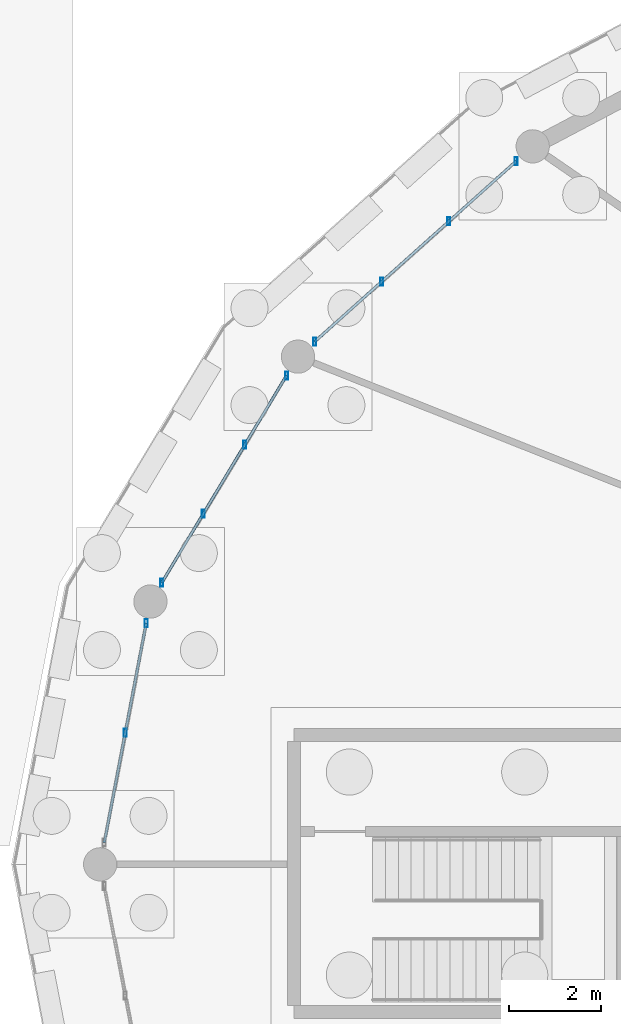
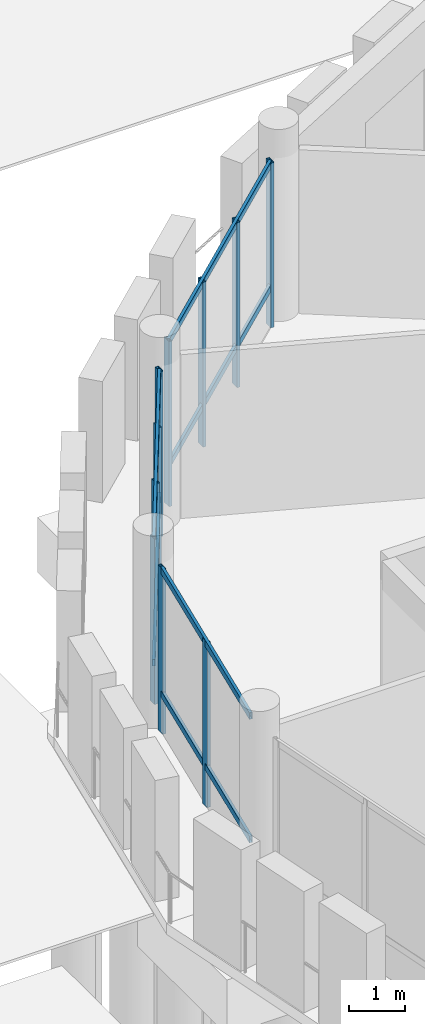
# One storey, part 39 of 98: 16 members, 3 elements without a shape of their own.
"""IFC4 building model written with IfcOpenShell, lengths in metres."""

from ifc_helpers import new_model, si_unit, direction, frame, origin, origin_2d, place, context, subcontext, project, spatial, hollow_rectangle, extrude, material, material_profile, profile_set, type_object, element, aggregate, save


model = new_model("IFC4")

# Units and contexts
model_context = context("Model", 3, precision=1e-05, world=origin(), true_north=direction((0.0, 1.0)))
body_context = subcontext(model_context, "Body", "Model", "MODEL_VIEW")
ifc_project = project(units=[si_unit("LENGTHUNIT", "METRE"), si_unit("AREAUNIT", "SQUARE_METRE"), si_unit("VOLUMEUNIT", "CUBIC_METRE"), si_unit("PLANEANGLEUNIT", "RADIAN"), si_unit("MASSUNIT", "GRAM", prefix="KILO")], contexts=[model_context])

# Site, building, storey
site_placement = place(None, origin())
site = spatial("IfcSite", under=ifc_project, at=site_placement, CompositionType="ELEMENT")
building_placement = place(site_placement, origin())
building = spatial("IfcBuilding", under=site, at=building_placement, Name="Zornivar Specialist Clinic", CompositionType="ELEMENT")
storey_placement = place(building_placement, origin())
storey = spatial("IfcBuildingStorey", under=building, at=storey_placement, Name="L00", CompositionType="ELEMENT", Elevation=0.0)

# Curtain wall, members
ifc_material_1 = material(Name="Aluminium and Low-E Glass Curtain Wall", Category="aluminium")
curtain_wall_type = type_object("IfcCurtainWallType", Name="CW-DRUM-FACET", PredefinedType="NOTDEFINED", material=ifc_material_1)
curtain_wall_1_placement = place(storey_placement, origin())
curtain_wall_1 = element("IfcCurtainWall", 1, at=curtain_wall_1_placement, inside=storey, type_object=curtain_wall_type, Name="cw:V1:L00:c09", PredefinedType="NOTDEFINED")
ifc_material_2 = material(Name="Aluminium AW-6060", Category="aluminium")
ifc_material_profile_1 = material_profile(ifc_material_2, hollow_rectangle(XDim=0.06494140625, YDim=0.175048828125, WallThickness=0.00439453125, at=origin_2d()), Name="ALU 65x175x4.5")
ifc_profile_set_1 = profile_set([ifc_material_profile_1], Name="Aluminium AW-6060")
member_type_1 = type_object("IfcMemberType", Name="CWM-MUL-175", PredefinedType="MULLION", material=ifc_profile_set_1)
member_1_placement = place(storey_placement, frame((70.614990234375, 72.8349609375, 0.0), z_axis=(0.0, 0.0, 1.0), x_axis=(1.0, 0.0, 0.0)))
member_1 = element("IfcMember", 2, at=member_1_placement, type_object=member_type_1, Name="cw:V1:L00:c09:mul:0", PredefinedType="MULLION", context=body_context, shape_type="SweptSolid", body=[
    extrude(hollow_rectangle(XDim=0.06494140625, YDim=0.175048828125, WallThickness=0.00439453125, at=origin_2d()), origin(), (0.0, 0.0, 1.0), 3.610107421875),
])
member_2_placement = place(storey_placement, frame((69.157958984375, 71.530029296875, 0.0), z_axis=(0.0, 0.0, 1.0), x_axis=(1.0, 0.0, 0.0)))
member_2 = element("IfcMember", 3, at=member_2_placement, type_object=member_type_1, Name="cw:V1:L00:c09:mul:1", PredefinedType="MULLION", context=body_context, shape_type="SweptSolid", body=[
    extrude(hollow_rectangle(XDim=0.06494140625, YDim=0.175048828125, WallThickness=0.00439453125, at=origin_2d()), origin(), (0.0, 0.0, 1.0), 3.610107421875),
])
member_3_placement = place(storey_placement, frame((67.700927734375, 70.22509765625, 0.0), z_axis=(0.0, 0.0, 1.0), x_axis=(1.0, 0.0, 0.0)))
member_3 = element("IfcMember", 4, at=member_3_placement, type_object=member_type_1, Name="cw:V1:L00:c09:mul:2", PredefinedType="MULLION", context=body_context, shape_type="SweptSolid", body=[
    extrude(hollow_rectangle(XDim=0.06494140625, YDim=0.175048828125, WallThickness=0.00439453125, at=origin_2d()), origin(), (0.0, 0.0, 1.0), 3.610107421875),
])
member_4_placement = place(storey_placement, frame((66.2451171875, 68.9208984375, 0.0), z_axis=(0.0, 0.0, 1.0), x_axis=(1.0, 0.0, 0.0)))
member_4 = element("IfcMember", 5, at=member_4_placement, type_object=member_type_1, Name="cw:V1:L00:c09:mul:3", PredefinedType="MULLION", context=body_context, shape_type="SweptSolid", body=[
    extrude(hollow_rectangle(XDim=0.06494140625, YDim=0.175048828125, WallThickness=0.00439453125, at=origin_2d()), origin(), (0.0, 0.0, 1.0), 3.610107421875),
])

curtain_wall_2_placement = place(storey_placement, origin())
curtain_wall_2 = element("IfcCurtainWall", 6, at=curtain_wall_2_placement, inside=storey, type_object=curtain_wall_type, Name="cw:V1:L00:c10", PredefinedType="NOTDEFINED")
member_5_placement = place(storey_placement, frame((65.638916015625, 68.18896484375, 0.0), z_axis=(0.0, 0.0, 1.0), x_axis=(1.0, 0.0, 0.0)))
member_5 = element("IfcMember", 7, at=member_5_placement, type_object=member_type_1, Name="cw:V1:L00:c10:mul:0", PredefinedType="MULLION", context=body_context, shape_type="SweptSolid", body=[
    extrude(hollow_rectangle(XDim=0.06494140625, YDim=0.175048828125, WallThickness=0.00439453125, at=origin_2d()), origin(), (0.0, 0.0, 1.0), 3.610107421875),
])
member_6_placement = place(storey_placement, frame((64.739013671875, 66.694091796875, 0.0), z_axis=(0.0, 0.0, 1.0), x_axis=(1.0, 0.0, 0.0)))
member_6 = element("IfcMember", 8, at=member_6_placement, type_object=member_type_1, Name="cw:V1:L00:c10:mul:1", PredefinedType="MULLION", context=body_context, shape_type="SweptSolid", body=[
    extrude(hollow_rectangle(XDim=0.06494140625, YDim=0.175048828125, WallThickness=0.00439453125, at=origin_2d()), origin(), (0.0, 0.0, 1.0), 3.610107421875),
])
member_7_placement = place(storey_placement, frame((63.837890625, 65.198974609375, 0.0), z_axis=(0.0, 0.0, 1.0), x_axis=(1.0, 0.0, 0.0)))
member_7 = element("IfcMember", 9, at=member_7_placement, type_object=member_type_1, Name="cw:V1:L00:c10:mul:2", PredefinedType="MULLION", context=body_context, shape_type="SweptSolid", body=[
    extrude(hollow_rectangle(XDim=0.06494140625, YDim=0.175048828125, WallThickness=0.00439453125, at=origin_2d()), origin(), (0.0, 0.0, 1.0), 3.610107421875),
])
member_8_placement = place(storey_placement, frame((62.93798828125, 63.705078125, 0.0), z_axis=(0.0, 0.0, 1.0), x_axis=(1.0, 0.0, 0.0)))
member_8 = element("IfcMember", 10, at=member_8_placement, type_object=member_type_1, Name="cw:V1:L00:c10:mul:3", PredefinedType="MULLION", context=body_context, shape_type="SweptSolid", body=[
    extrude(hollow_rectangle(XDim=0.06494140625, YDim=0.175048828125, WallThickness=0.00439453125, at=origin_2d()), origin(), (0.0, 0.0, 1.0), 3.610107421875),
])

curtain_wall_3_placement = place(storey_placement, origin())
curtain_wall_3 = element("IfcCurtainWall", 11, at=curtain_wall_3_placement, inside=storey, type_object=curtain_wall_type, Name="cw:V1:L00:c11", PredefinedType="NOTDEFINED")
member_9_placement = place(storey_placement, frame((62.59912109375, 62.822998046875, 0.0), z_axis=(0.0, 0.0, 1.0), x_axis=(1.0, 0.0, 0.0)))
member_9 = element("IfcMember", 12, at=member_9_placement, type_object=member_type_1, Name="cw:V1:L00:c11:mul:0", PredefinedType="MULLION", context=body_context, shape_type="SweptSolid", body=[
    extrude(hollow_rectangle(XDim=0.06494140625, YDim=0.175048828125, WallThickness=0.00439453125, at=origin_2d()), origin(), (0.0, 0.0, 1.0), 3.610107421875),
])
member_10_placement = place(storey_placement, frame((62.14501953125, 60.447021484375, 0.0), z_axis=(0.0, 0.0, 1.0), x_axis=(1.0, 0.0, 0.0)))
member_10 = element("IfcMember", 13, at=member_10_placement, type_object=member_type_1, Name="cw:V1:L00:c11:mul:1", PredefinedType="MULLION", context=body_context, shape_type="SweptSolid", body=[
    extrude(hollow_rectangle(XDim=0.06494140625, YDim=0.175048828125, WallThickness=0.00439453125, at=origin_2d()), origin(), (0.0, 0.0, 1.0), 3.610107421875),
])

# Member
ifc_material_3 = material(Name="Aluminium AW-6060", Category="aluminium")
ifc_material_profile_2 = material_profile(ifc_material_3, hollow_rectangle(XDim=0.06005859375, YDim=0.14501953125, WallThickness=0.00390625, at=origin_2d()), Name="ALU 60x145x4")
ifc_profile_set_2 = profile_set([ifc_material_profile_2], Name="Aluminium AW-6060")
member_type_2 = type_object("IfcMemberType", Name="CWM-TRN-145", PredefinedType="USERDEFINED", material=ifc_profile_set_2)
member_11_placement = place(storey_placement, frame((70.614990234375, 72.8349609375, 0.85009765625), z_axis=(-0.744887471381, -0.667190119067, 0.0), x_axis=(0.667190119067, -0.744887471381, 0.0)))
member_11 = element("IfcMember", 14, at=member_11_placement, type_object=member_type_2, Name="cw:V1:L00:c09:trn:0", ObjectType="TRANSOM", PredefinedType="USERDEFINED", context=body_context, shape_type="SweptSolid", body=[
    extrude(hollow_rectangle(XDim=0.06005859375, YDim=0.14501953125, WallThickness=0.00390625, at=origin_2d()), origin(), (0.0, 0.0, 1.0), 5.866455078125),
])

member_12_placement = place(storey_placement, frame((70.614990234375, 72.8349609375, 3.544921875), z_axis=(-0.744887471381, -0.667190119067, 0.0), x_axis=(0.667190119067, -0.744887471381, 0.0)))
member_12 = element("IfcMember", 15, at=member_12_placement, type_object=member_type_2, Name="cw:V1:L00:c09:trn:1", ObjectType="TRANSOM", PredefinedType="USERDEFINED", context=body_context, shape_type="SweptSolid", body=[
    extrude(hollow_rectangle(XDim=0.06005859375, YDim=0.14501953125, WallThickness=0.00390625, at=origin_2d()), origin(), (0.0, 0.0, 1.0), 5.866455078125),
])

aggregate(curtain_wall_1, [member_1, member_2, member_3, member_4, member_11, member_12])

member_13_placement = place(storey_placement, frame((65.638916015625, 68.18896484375, 0.85009765625), z_axis=(-0.515983359641, -0.856598606451, 0.0), x_axis=(0.856598606451, -0.515983359641, 0.0)))
member_13 = element("IfcMember", 16, at=member_13_placement, type_object=member_type_2, Name="cw:V1:L00:c10:trn:0", ObjectType="TRANSOM", PredefinedType="USERDEFINED", context=body_context, shape_type="SweptSolid", body=[
    extrude(hollow_rectangle(XDim=0.06005859375, YDim=0.14501953125, WallThickness=0.00390625, at=origin_2d()), origin(), (0.0, 0.0, 1.0), 5.234619140625),
])

member_14_placement = place(storey_placement, frame((65.638916015625, 68.18896484375, 3.544921875), z_axis=(-0.515983359641, -0.856598606451, 0.0), x_axis=(0.856598606451, -0.515983359641, 0.0)))
member_14 = element("IfcMember", 17, at=member_14_placement, type_object=member_type_2, Name="cw:V1:L00:c10:trn:1", ObjectType="TRANSOM", PredefinedType="USERDEFINED", context=body_context, shape_type="SweptSolid", body=[
    extrude(hollow_rectangle(XDim=0.06005859375, YDim=0.14501953125, WallThickness=0.00390625, at=origin_2d()), origin(), (0.0, 0.0, 1.0), 5.234619140625),
])

aggregate(curtain_wall_2, [member_5, member_6, member_7, member_8, member_13, member_14])

member_15_placement = place(storey_placement, frame((62.59912109375, 62.822998046875, 0.85009765625), z_axis=(-0.187724259088, -0.982221768518, 0.0), x_axis=(0.982221768518, -0.187724259088, 0.0)))
member_15 = element("IfcMember", 18, at=member_15_placement, type_object=member_type_2, Name="cw:V1:L00:c11:trn:0", ObjectType="TRANSOM", PredefinedType="USERDEFINED", context=body_context, shape_type="SweptSolid", body=[
    extrude(hollow_rectangle(XDim=0.06005859375, YDim=0.14501953125, WallThickness=0.00390625, at=origin_2d()), origin(), (0.0, 0.0, 1.0), 4.837890625),
])

member_16_placement = place(storey_placement, frame((62.59912109375, 62.822998046875, 3.544921875), z_axis=(-0.187724259088, -0.982221768518, 0.0), x_axis=(0.982221768518, -0.187724259088, 0.0)))
member_16 = element("IfcMember", 19, at=member_16_placement, type_object=member_type_2, Name="cw:V1:L00:c11:trn:1", ObjectType="TRANSOM", PredefinedType="USERDEFINED", context=body_context, shape_type="SweptSolid", body=[
    extrude(hollow_rectangle(XDim=0.06005859375, YDim=0.14501953125, WallThickness=0.00390625, at=origin_2d()), origin(), (0.0, 0.0, 1.0), 4.837890625),
])

aggregate(curtain_wall_3, [member_9, member_10, member_15, member_16])

save(model, "model.ifc")
